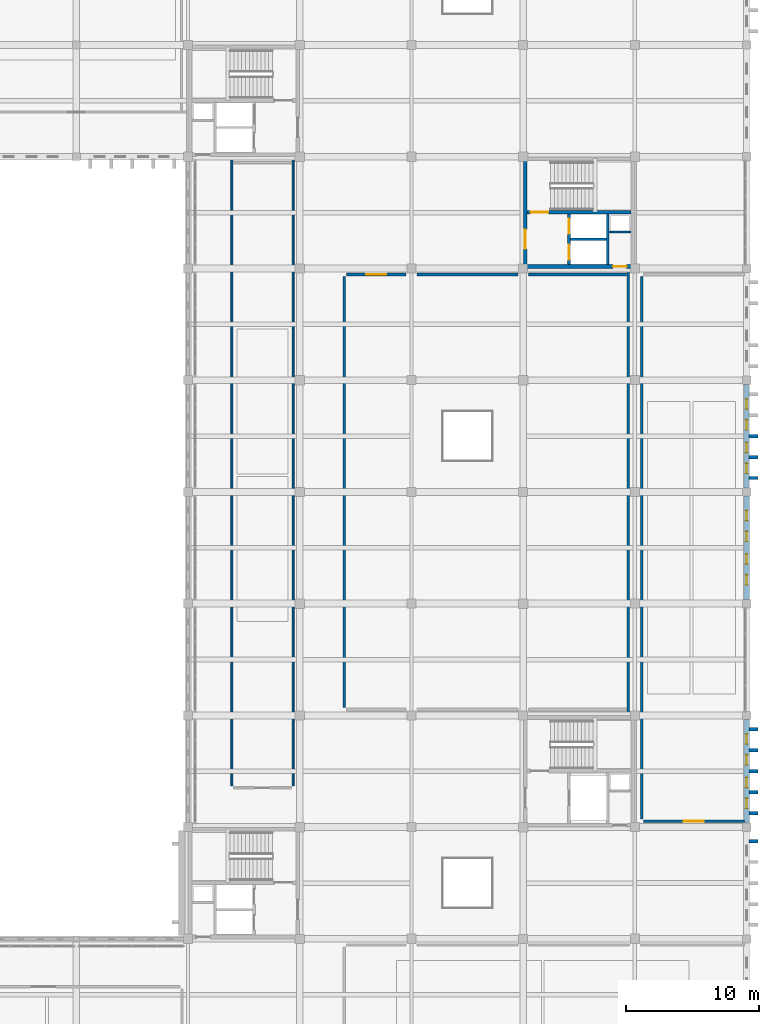
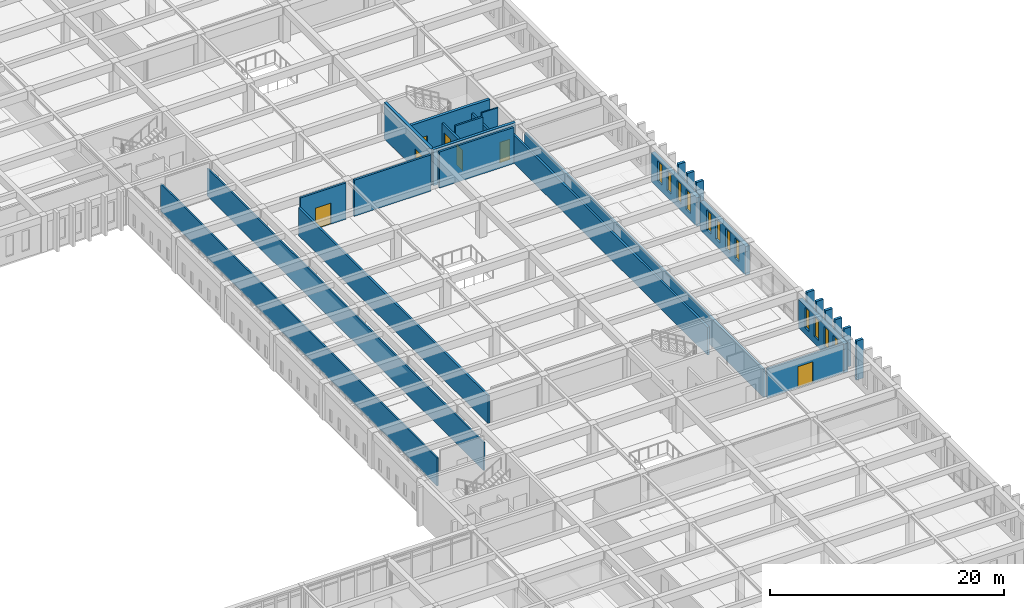
# One storey, part 98 of 110: 28 walls, 12 windows, 7 doors, 19 openings.
"""IFC4 building model written with IfcOpenShell, lengths in metres."""

import ifcopenshell
import ifcopenshell.guid

model = None  # the IFC model being written
_history = None  # IfcOwnerHistory: only IFC2X3 demands one
_inside = {}  # id of a spatial element -> (the spatial element, [elements in it])
_under = {}  # id of a project, library or spatial element -> (it, [spatial elements below it])
_declared = {}  # id of a project -> (the project, [libraries it declares])
_typed = {}  # id of a type object -> (the type object, [elements of that type])
_made_of = {}  # id of a material, layer set ... -> (it, [elements and type objects made of it])


def new_model(schema):
    """Start an empty IFC model of exactly this schema.

    Asked for "IFC4X3", IfcOpenShell would pick the latest addendum, in which some entities
    have other attributes; the version numbers below select the first issue.
    IFC2X3 requires an IfcOwnerHistory on every rooted entity: one is made here for all.
    """
    global model, _history
    if schema == "IFC4X3":
        model = ifcopenshell.file(schema_version=(4, 3, 0, 0))
    else:
        model = ifcopenshell.file(schema=schema)
    _inside.clear()
    _under.clear()
    _declared.clear()
    _typed.clear()
    _made_of.clear()
    _history = None
    if model.schema == "IFC2X3":
        org = make("IfcOrganization", Name="unknown")
        user = make(
            "IfcPersonAndOrganization",
            ThePerson=make("IfcPerson", FamilyName="unknown"),
            TheOrganization=org,
        )
        app = make(
            "IfcApplication",
            ApplicationDeveloper=org,
            Version="unknown",
            ApplicationFullName="unknown",
            ApplicationIdentifier="unknown",
        )
        _history = make(
            "IfcOwnerHistory",
            OwningUser=user,
            OwningApplication=app,
            ChangeAction="ADDED",
            CreationDate=0,
        )
    return model


def make(cls, **values):
    """One entity of the class cls with the attributes given. An attribute that is None is left unset."""
    return model.create_entity(
        cls, **{name: value for name, value in values.items() if value is not None}
    )


def rooted(cls, **values):
    """An entity with a GlobalId (a new one), such as an element, a storey or a relation."""
    return make(cls, GlobalId=ifcopenshell.guid.new(), OwnerHistory=_history, **values)


def si_unit(unit_type, name, prefix=None):
    """IfcSIUnit, for example si_unit("LENGTHUNIT", "METRE", prefix="MILLI")."""
    return make("IfcSIUnit", UnitType=unit_type, Prefix=prefix, Name=name)


def assignment(units):
    """IfcUnitAssignment: the units of a project."""
    return None if units is None else make("IfcUnitAssignment", Units=units)


def point(xyz):
    """IfcCartesianPoint."""
    return None if xyz is None else make("IfcCartesianPoint", Coordinates=xyz)


def direction(xyz):
    """IfcDirection."""
    return None if xyz is None else make("IfcDirection", DirectionRatios=xyz)


def frame(location, z_axis=None, x_axis=None):
    """IfcAxis2Placement3D, a coordinate frame: its origin and axes. An axis left out is left unset."""
    return make(
        "IfcAxis2Placement3D",
        Location=point(location),
        Axis=direction(z_axis),
        RefDirection=direction(x_axis),
    )


def frame_2d(location, x_axis=None):
    """IfcAxis2Placement2D, a coordinate frame in the plane: its origin and x axis."""
    return make(
        "IfcAxis2Placement2D", Location=point(location), RefDirection=direction(x_axis)
    )


def origin():
    """The frame at (0, 0, 0) with its axes left unset."""
    return frame((0.0, 0.0, 0.0))


def place(relative_to, where):
    """IfcLocalPlacement: puts the frame where relative to a parent placement (None: the world)."""
    return make(
        "IfcLocalPlacement", PlacementRelTo=relative_to, RelativePlacement=where
    )


def context(
    kind, dimensions, precision=None, world=None, true_north=None, identifier=None
):
    """IfcGeometricRepresentationContext, for example the 3D "Model" context."""
    return make(
        "IfcGeometricRepresentationContext",
        ContextIdentifier=identifier,
        ContextType=kind,
        CoordinateSpaceDimension=dimensions,
        Precision=precision,
        WorldCoordinateSystem=world,
        TrueNorth=true_north,
    )


def subcontext(parent, identifier, kind, view, scale=None):
    """IfcGeometricRepresentationSubContext, for example "Body" below "Model"."""
    return make(
        "IfcGeometricRepresentationSubContext",
        ContextIdentifier=identifier,
        ContextType=kind,
        ParentContext=parent,
        TargetScale=scale,
        TargetView=view,
    )


def project(units=None, contexts=None):
    """IfcProject with its units and contexts."""
    return rooted(
        "IfcProject",
        Name="project",
        RepresentationContexts=contexts,
        UnitsInContext=assignment(units),
    )


def spatial(cls, under=None, at=None, **own):
    """A site, building, storey or space (cls), placed at a placement, below another one or the project."""
    s = rooted(cls, ObjectPlacement=at, **own)
    if under is not None:
        _under.setdefault(under.id(), (under, []))[1].append(s)
    return s


def profile(cls, at=None, kind="AREA", **sizes):
    """A parametric profile (cls). Its sizes go by their IFC names, for example OverallWidth=200.0."""
    return make(cls, ProfileType=kind, Position=at, **sizes)


def rectangle(**sizes):
    """IfcRectangleProfileDef."""
    return profile("IfcRectangleProfileDef", **sizes)


def extrude(swept, where, along, depth):
    """IfcExtrudedAreaSolid: the profile swept, set in the frame where, extruded along a direction by depth."""
    return make(
        "IfcExtrudedAreaSolid",
        SweptArea=swept,
        Position=where,
        ExtrudedDirection=direction(along),
        Depth=depth,
    )


def shape(context_of_items, identifier, shape_type, items):
    """IfcShapeRepresentation: the items that make up one representation, for example the "Body"."""
    return make(
        "IfcShapeRepresentation",
        ContextOfItems=context_of_items,
        RepresentationIdentifier=identifier,
        RepresentationType=shape_type,
        Items=items,
    )


def material(Name=None, Category=None):
    """IfcMaterial."""
    return make("IfcMaterial", Name=Name, Category=Category)


def layer(
    of_material, thickness, ventilated=None, Name=None, Category=None, Priority=None
):
    """IfcMaterialLayer: one layer of a wall or slab, of a material (None: an air gap)."""
    return make(
        "IfcMaterialLayer",
        Material=of_material,
        LayerThickness=thickness,
        IsVentilated=ventilated,
        Name=Name,
        Category=Category,
        Priority=Priority,
    )


def layer_set(layers, Name=None):
    """IfcMaterialLayerSet."""
    return make("IfcMaterialLayerSet", MaterialLayers=layers, LayerSetName=Name)


def made_of(thing, what):
    """Note that an element or type object is made of a material, layer set ...; save() writes the relation."""
    if what is not None:
        _made_of.setdefault(what.id(), (what, []))[1].append(thing)
    return thing


def type_object(cls, material=None, **own):
    """A type object (cls), such as IfcWallType, which elements share."""
    return made_of(rooted(cls, **own), material)


def element(
    cls,
    number,
    at=None,
    inside=None,
    cuts=None,
    type_object=None,
    material=None,
    context=None,
    identifier="Body",
    shape_type=None,
    held_by="IfcProductDefinitionShape",
    body=None,
    shapes=None,
    **own,
):
    """One element of the class cls, such as IfcWall. Its Tag is "e" and its number.

    at: its placement. inside: the storey or other place that contains it. cuts: it is an
    opening in that element (IfcRelVoidsElement). A single representation is given by context,
    identifier, shape_type and body (its items); several are given by shapes. held_by: the class
    of the entity that holds the representations. save() writes the other relations.
    """
    e = rooted(cls, Tag="e%d" % number, ObjectPlacement=at, **own)
    if body is not None:
        shapes = [shape(context, identifier, shape_type, body)]
    if shapes is not None:
        e.Representation = make(held_by, Representations=shapes)
    if inside is not None:
        _inside.setdefault(inside.id(), (inside, []))[1].append(e)
    if cuts is not None:
        rooted(
            "IfcRelVoidsElement", RelatingBuildingElement=cuts, RelatedOpeningElement=e
        )
    if type_object is not None:
        _typed.setdefault(type_object.id(), (type_object, []))[1].append(e)
    return made_of(e, material)


def fill(opening, filler):
    """IfcRelFillsElement: the door or window that sits in an opening."""
    return rooted(
        "IfcRelFillsElement",
        RelatingOpeningElement=opening,
        RelatedBuildingElement=filler,
    )


def aggregate(whole, parts):
    """IfcRelAggregates: a whole, such as a stair, and the parts it consists of."""
    return rooted("IfcRelAggregates", RelatingObject=whole, RelatedObjects=parts)


def save(model, path):
    """Write the relations noted so far, then the file.

    IfcRelAggregates (storeys below a building ...), IfcRelContainedInSpatialStructure (elements
    in a storey), IfcRelDefinesByType, IfcRelAssociatesMaterial and IfcRelDeclares: one each for
    every whole, place, type object, material and project.
    """
    for whole, parts in _under.values():
        aggregate(whole, parts)
    for where, things in _inside.values():
        rooted(
            "IfcRelContainedInSpatialStructure",
            RelatedElements=things,
            RelatingStructure=where,
        )
    for kind, things in _typed.values():
        rooted("IfcRelDefinesByType", RelatedObjects=things, RelatingType=kind)
    for what, things in _made_of.values():
        rooted("IfcRelAssociatesMaterial", RelatedObjects=things, RelatingMaterial=what)
    for by, libraries in _declared.values():
        rooted("IfcRelDeclares", RelatingContext=by, RelatedDefinitions=libraries)
    model.write(path)


model = new_model("IFC4")

# Units and contexts
model_context = context("Model", 3, precision=1e-05, world=origin(), true_north=direction((0.0, 1.0)))
body_context = subcontext(model_context, "Body", "Model", "MODEL_VIEW")
ifc_project = project(units=[si_unit("LENGTHUNIT", "METRE"), si_unit("AREAUNIT", "SQUARE_METRE"), si_unit("VOLUMEUNIT", "CUBIC_METRE"), si_unit("PLANEANGLEUNIT", "RADIAN"), si_unit("MASSUNIT", "GRAM", prefix="KILO")], contexts=[model_context])

# Site, building, storey
site_placement = place(None, origin())
site = spatial("IfcSite", under=ifc_project, at=site_placement, CompositionType="ELEMENT")
building_placement = place(site_placement, origin())
building = spatial("IfcBuilding", under=site, at=building_placement, Name="Kveldsbrygga Polytechnic", CompositionType="ELEMENT")
storey_placement = place(building_placement, frame((0.0, 0.0, 9.860107421875)))
storey = spatial("IfcBuildingStorey", under=building, at=storey_placement, Name="L02", CompositionType="ELEMENT", Elevation=9.860107421875)

# Wall, openings, windows
ifc_material_1 = material(Name="Fired clay brick masonry M10", Category="masonry")
ifc_layer_1 = layer(ifc_material_1, 0.3798828125)
ifc_layer_set_1 = layer_set([ifc_layer_1], Name="Fired clay brick masonry M10")
wall_type_1 = type_object("IfcWallType", Name="EW-BRICK-380", PredefinedType="SOLIDWALL", material=ifc_layer_set_1)
wall_1_placement = place(storey_placement, frame((168.0, 59.094970703125, 0.0), z_axis=(0.0, 0.0, 1.0), x_axis=(0.0, 1.0, 0.0)))
wall_1 = element("IfcWall", 1, at=wall_1_placement, inside=storey, type_object=wall_type_1, Name="Exterior Brick Wall EW-L02-Y-20-07", PredefinedType="SOLIDWALL", context=body_context, shape_type="SweptSolid", body=[
    extrude(rectangle(XDim=7.794921875, YDim=0.3798828125, at=frame_2d((3.8974609375, 0.0))), origin(), (0.0, 0.0, 1.0), 3.0),
])
opening_1_placement = place(wall_1_placement, frame((1.10595703125, 0.0, 0.699951171875)))
opening_1 = element("IfcOpeningElement", 2, at=opening_1_placement, cuts=wall_1, Name="Opening W-27", PredefinedType="OPENING", context=body_context, shape_type="SweptSolid", body=[
    extrude(rectangle(XDim=0.75, YDim=2.10009765625, at=frame_2d((0.375, 1.050048828125))), frame((0.0, 0.199951171875, 0.0), z_axis=(0.0, -1.0, 0.0), x_axis=(1.0, 0.0, 0.0)), (0.0, 0.0, 1.0), 0.39990234375),
])
opening_2_placement = place(wall_1_placement, frame((2.6650390625, 0.0, 0.699951171875)))
opening_2 = element("IfcOpeningElement", 3, at=opening_2_placement, cuts=wall_1, Name="Opening W-27", PredefinedType="OPENING", context=body_context, shape_type="SweptSolid", body=[
    extrude(rectangle(XDim=0.75, YDim=2.10009765625, at=frame_2d((0.375, 1.050048828125))), frame((0.0, 0.199951171875, 0.0), z_axis=(0.0, -1.0, 0.0), x_axis=(1.0, 0.0, 0.0)), (0.0, 0.0, 1.0), 0.39990234375),
])
opening_3_placement = place(wall_1_placement, frame((4.3798828125, 0.0, 0.699951171875)))
opening_3 = element("IfcOpeningElement", 4, at=opening_3_placement, cuts=wall_1, Name="Opening W-27", PredefinedType="OPENING", context=body_context, shape_type="SweptSolid", body=[
    extrude(rectangle(XDim=0.75, YDim=2.10009765625, at=frame_2d((0.375, 1.050048828125))), frame((0.0, 0.199951171875, 0.0), z_axis=(0.0, -1.0, 0.0), x_axis=(1.0, 0.0, 0.0)), (0.0, 0.0, 1.0), 0.39990234375),
])
opening_4_placement = place(wall_1_placement, frame((5.93896484375, 0.0, 0.699951171875)))
opening_4 = element("IfcOpeningElement", 5, at=opening_4_placement, cuts=wall_1, Name="Opening W-27", PredefinedType="OPENING", context=body_context, shape_type="SweptSolid", body=[
    extrude(rectangle(XDim=0.75, YDim=2.10009765625, at=frame_2d((0.375, 1.050048828125))), frame((0.0, 0.199951171875, 0.0), z_axis=(0.0, -1.0, 0.0), x_axis=(1.0, 0.0, 0.0)), (0.0, 0.0, 1.0), 0.39990234375),
])
ifc_material_2 = material(Name="Insulated triple low-E glass", Category="glass")
window_type = type_object("IfcWindowType", Name="WN-ATTIC-075x210", PartitioningType="DOUBLE_PANEL_VERTICAL", PredefinedType="WINDOW", material=ifc_material_2)
window_1_placement = place(opening_1_placement, origin())
window_1 = element("IfcWindow", 6, at=window_1_placement, inside=storey, type_object=window_type, Name="Gothic Lancet Window WIN-L02-Y-20-07-1", OverallHeight=2.10009765625, OverallWidth=0.75, PartitioningType="DOUBLE_PANEL_VERTICAL", PredefinedType="WINDOW", context=body_context, shape_type="SweptSolid", body=[
    extrude(rectangle(XDim=0.75, YDim=2.10009765625, at=frame_2d((0.375, 1.050048828125))), frame((0.0, 0.030029296875, 0.0), z_axis=(0.0, -1.0, 0.0), x_axis=(1.0, 0.0, 0.0)), (0.0, 0.0, 1.0), 0.06005859375),
])
fill(opening_1, window_1)
window_2_placement = place(opening_2_placement, origin())
window_2 = element("IfcWindow", 7, at=window_2_placement, inside=storey, type_object=window_type, Name="Gothic Lancet Window WIN-L02-Y-20-07-2", OverallHeight=2.10009765625, OverallWidth=0.75, PartitioningType="DOUBLE_PANEL_VERTICAL", PredefinedType="WINDOW", context=body_context, shape_type="SweptSolid", body=[
    extrude(rectangle(XDim=0.75, YDim=2.10009765625, at=frame_2d((0.375, 1.050048828125))), frame((0.0, 0.030029296875, 0.0), z_axis=(0.0, -1.0, 0.0), x_axis=(1.0, 0.0, 0.0)), (0.0, 0.0, 1.0), 0.06005859375),
])
fill(opening_2, window_2)
window_3_placement = place(opening_3_placement, origin())
window_3 = element("IfcWindow", 8, at=window_3_placement, inside=storey, type_object=window_type, Name="Gothic Lancet Window WIN-L02-Y-20-07-3", OverallHeight=2.10009765625, OverallWidth=0.75, PartitioningType="DOUBLE_PANEL_VERTICAL", PredefinedType="WINDOW", context=body_context, shape_type="SweptSolid", body=[
    extrude(rectangle(XDim=0.75, YDim=2.10009765625, at=frame_2d((0.375, 1.050048828125))), frame((0.0, 0.030029296875, 0.0), z_axis=(0.0, -1.0, 0.0), x_axis=(1.0, 0.0, 0.0)), (0.0, 0.0, 1.0), 0.06005859375),
])
fill(opening_3, window_3)
window_4_placement = place(opening_4_placement, origin())
window_4 = element("IfcWindow", 9, at=window_4_placement, inside=storey, type_object=window_type, Name="Gothic Lancet Window WIN-L02-Y-20-07-4", OverallHeight=2.10009765625, OverallWidth=0.75, PartitioningType="DOUBLE_PANEL_VERTICAL", PredefinedType="WINDOW", context=body_context, shape_type="SweptSolid", body=[
    extrude(rectangle(XDim=0.75, YDim=2.10009765625, at=frame_2d((0.375, 1.050048828125))), frame((0.0, 0.030029296875, 0.0), z_axis=(0.0, -1.0, 0.0), x_axis=(1.0, 0.0, 0.0)), (0.0, 0.0, 1.0), 0.06005859375),
])
fill(opening_4, window_4)

ifc_layer_2 = layer(ifc_material_1, 0.39990234375)
ifc_layer_set_2 = layer_set([ifc_layer_2], Name="Fired clay brick masonry M10")
wall_type_2 = type_object("IfcWallType", Name="EW-BRICK-400", PredefinedType="SOLIDWALL", material=ifc_layer_set_2)
wall_2_placement = place(storey_placement, frame((168.0, 33.909912109375, 0.0), z_axis=(0.0, 0.0, 1.0), x_axis=(0.0, 1.0, 0.0)))
wall_2 = element("IfcWall", 10, at=wall_2_placement, inside=storey, type_object=wall_type_2, Name="Exterior Brick Wall EW-L02-Y-20-04", PredefinedType="SOLIDWALL", context=body_context, shape_type="SweptSolid", body=[
    extrude(rectangle(XDim=7.795166015625, YDim=0.39990234375, at=frame_2d((3.8974609375, 0.0))), origin(), (0.0, 0.0, 1.0), 3.0),
])
opening_5_placement = place(wall_2_placement, frame((1.10595703125, 0.0, 0.699951171875)))
opening_5 = element("IfcOpeningElement", 11, at=opening_5_placement, cuts=wall_2, Name="Opening W-27", PredefinedType="OPENING", context=body_context, shape_type="SweptSolid", body=[
    extrude(rectangle(XDim=0.75, YDim=2.10009765625, at=frame_2d((0.375, 1.050048828125))), frame((0.0, 0.2099609375, 0.0), z_axis=(0.0, -1.0, 0.0), x_axis=(1.0, 0.0, 0.0)), (0.0, 0.0, 1.0), 0.419921875),
])
opening_6_placement = place(wall_2_placement, frame((2.6650390625, 0.0, 0.699951171875)))
opening_6 = element("IfcOpeningElement", 12, at=opening_6_placement, cuts=wall_2, Name="Opening W-27", PredefinedType="OPENING", context=body_context, shape_type="SweptSolid", body=[
    extrude(rectangle(XDim=0.75, YDim=2.10009765625, at=frame_2d((0.375, 1.050048828125))), frame((0.0, 0.2099609375, 0.0), z_axis=(0.0, -1.0, 0.0), x_axis=(1.0, 0.0, 0.0)), (0.0, 0.0, 1.0), 0.419921875),
])
opening_7_placement = place(wall_2_placement, frame((4.3798828125, 0.0, 0.699951171875)))
opening_7 = element("IfcOpeningElement", 13, at=opening_7_placement, cuts=wall_2, Name="Opening W-27", PredefinedType="OPENING", context=body_context, shape_type="SweptSolid", body=[
    extrude(rectangle(XDim=0.75, YDim=2.10009765625, at=frame_2d((0.375, 1.050048828125))), frame((0.0, 0.2099609375, 0.0), z_axis=(0.0, -1.0, 0.0), x_axis=(1.0, 0.0, 0.0)), (0.0, 0.0, 1.0), 0.419921875),
])
opening_8_placement = place(wall_2_placement, frame((5.93896484375, 0.0, 0.699951171875)))
opening_8 = element("IfcOpeningElement", 14, at=opening_8_placement, cuts=wall_2, Name="Opening W-27", PredefinedType="OPENING", context=body_context, shape_type="SweptSolid", body=[
    extrude(rectangle(XDim=0.75, YDim=2.10009765625, at=frame_2d((0.375, 1.050048828125))), frame((0.0, 0.2099609375, 0.0), z_axis=(0.0, -1.0, 0.0), x_axis=(1.0, 0.0, 0.0)), (0.0, 0.0, 1.0), 0.419921875),
])
window_5_placement = place(opening_5_placement, origin())
window_5 = element("IfcWindow", 15, at=window_5_placement, inside=storey, type_object=window_type, Name="Gothic Lancet Window WIN-L02-Y-20-04-1", OverallHeight=2.10009765625, OverallWidth=0.75, PartitioningType="DOUBLE_PANEL_VERTICAL", PredefinedType="WINDOW", context=body_context, shape_type="SweptSolid", body=[
    extrude(rectangle(XDim=0.75, YDim=2.10009765625, at=frame_2d((0.375, 1.050048828125))), frame((0.0, 0.030029296875, 0.0), z_axis=(0.0, -1.0, 0.0), x_axis=(1.0, 0.0, 0.0)), (0.0, 0.0, 1.0), 0.06005859375),
])
fill(opening_5, window_5)
window_6_placement = place(opening_6_placement, origin())
window_6 = element("IfcWindow", 16, at=window_6_placement, inside=storey, type_object=window_type, Name="Gothic Lancet Window WIN-L02-Y-20-04-2", OverallHeight=2.10009765625, OverallWidth=0.75, PartitioningType="DOUBLE_PANEL_VERTICAL", PredefinedType="WINDOW", context=body_context, shape_type="SweptSolid", body=[
    extrude(rectangle(XDim=0.75, YDim=2.10009765625, at=frame_2d((0.375, 1.050048828125))), frame((0.0, 0.030029296875, 0.0), z_axis=(0.0, -1.0, 0.0), x_axis=(1.0, 0.0, 0.0)), (0.0, 0.0, 1.0), 0.06005859375),
])
fill(opening_6, window_6)
window_7_placement = place(opening_7_placement, origin())
window_7 = element("IfcWindow", 17, at=window_7_placement, inside=storey, type_object=window_type, Name="Gothic Lancet Window WIN-L02-Y-20-04-3", OverallHeight=2.10009765625, OverallWidth=0.75, PartitioningType="DOUBLE_PANEL_VERTICAL", PredefinedType="WINDOW", context=body_context, shape_type="SweptSolid", body=[
    extrude(rectangle(XDim=0.75, YDim=2.10009765625, at=frame_2d((0.375, 1.050048828125))), frame((0.0, 0.030029296875, 0.0), z_axis=(0.0, -1.0, 0.0), x_axis=(1.0, 0.0, 0.0)), (0.0, 0.0, 1.0), 0.06005859375),
])
fill(opening_7, window_7)
window_8_placement = place(opening_8_placement, origin())
window_8 = element("IfcWindow", 18, at=window_8_placement, inside=storey, type_object=window_type, Name="Gothic Lancet Window WIN-L02-Y-20-04-4", OverallHeight=2.10009765625, OverallWidth=0.75, PartitioningType="DOUBLE_PANEL_VERTICAL", PredefinedType="WINDOW", context=body_context, shape_type="SweptSolid", body=[
    extrude(rectangle(XDim=0.75, YDim=2.10009765625, at=frame_2d((0.375, 1.050048828125))), frame((0.0, 0.030029296875, 0.0), z_axis=(0.0, -1.0, 0.0), x_axis=(1.0, 0.0, 0.0)), (0.0, 0.0, 1.0), 0.06005859375),
])
fill(opening_8, window_8)

wall_3_placement = place(storey_placement, frame((168.0, 50.7099609375, 0.0), z_axis=(0.0, 0.0, 1.0), x_axis=(0.0, 1.0, 0.0)))
wall_3 = element("IfcWall", 19, at=wall_3_placement, inside=storey, type_object=wall_type_2, Name="Exterior Brick Wall EW-L02-Y-20-06", PredefinedType="SOLIDWALL", context=body_context, shape_type="SweptSolid", body=[
    extrude(rectangle(XDim=7.794921875, YDim=0.39990234375, at=frame_2d((3.8974609375, 0.0))), origin(), (0.0, 0.0, 1.0), 3.0),
])
opening_9_placement = place(wall_3_placement, frame((1.10595703125, 0.0, 0.699951171875)))
opening_9 = element("IfcOpeningElement", 20, at=opening_9_placement, cuts=wall_3, Name="Opening W-27", PredefinedType="OPENING", context=body_context, shape_type="SweptSolid", body=[
    extrude(rectangle(XDim=0.75, YDim=2.10009765625, at=frame_2d((0.375, 1.050048828125))), frame((0.0, 0.2099609375, 0.0), z_axis=(0.0, -1.0, 0.0), x_axis=(1.0, 0.0, 0.0)), (0.0, 0.0, 1.0), 0.419921875),
])
opening_10_placement = place(wall_3_placement, frame((2.6650390625, 0.0, 0.699951171875)))
opening_10 = element("IfcOpeningElement", 21, at=opening_10_placement, cuts=wall_3, Name="Opening W-27", PredefinedType="OPENING", context=body_context, shape_type="SweptSolid", body=[
    extrude(rectangle(XDim=0.75, YDim=2.10009765625, at=frame_2d((0.375, 1.050048828125))), frame((0.0, 0.2099609375, 0.0), z_axis=(0.0, -1.0, 0.0), x_axis=(1.0, 0.0, 0.0)), (0.0, 0.0, 1.0), 0.419921875),
])
opening_11_placement = place(wall_3_placement, frame((4.3798828125, 0.0, 0.699951171875)))
opening_11 = element("IfcOpeningElement", 22, at=opening_11_placement, cuts=wall_3, Name="Opening W-27", PredefinedType="OPENING", context=body_context, shape_type="SweptSolid", body=[
    extrude(rectangle(XDim=0.75, YDim=2.10009765625, at=frame_2d((0.375, 1.050048828125))), frame((0.0, 0.2099609375, 0.0), z_axis=(0.0, -1.0, 0.0), x_axis=(1.0, 0.0, 0.0)), (0.0, 0.0, 1.0), 0.419921875),
])
opening_12_placement = place(wall_3_placement, frame((5.93896484375, 0.0, 0.699951171875)))
opening_12 = element("IfcOpeningElement", 23, at=opening_12_placement, cuts=wall_3, Name="Opening W-27", PredefinedType="OPENING", context=body_context, shape_type="SweptSolid", body=[
    extrude(rectangle(XDim=0.75, YDim=2.10009765625, at=frame_2d((0.375, 1.050048828125))), frame((0.0, 0.2099609375, 0.0), z_axis=(0.0, -1.0, 0.0), x_axis=(1.0, 0.0, 0.0)), (0.0, 0.0, 1.0), 0.419921875),
])
window_9_placement = place(opening_9_placement, origin())
window_9 = element("IfcWindow", 24, at=window_9_placement, inside=storey, type_object=window_type, Name="Gothic Lancet Window WIN-L02-Y-20-06-1", OverallHeight=2.10009765625, OverallWidth=0.75, PartitioningType="DOUBLE_PANEL_VERTICAL", PredefinedType="WINDOW", context=body_context, shape_type="SweptSolid", body=[
    extrude(rectangle(XDim=0.75, YDim=2.10009765625, at=frame_2d((0.375, 1.050048828125))), frame((0.0, 0.030029296875, 0.0), z_axis=(0.0, -1.0, 0.0), x_axis=(1.0, 0.0, 0.0)), (0.0, 0.0, 1.0), 0.06005859375),
])
fill(opening_9, window_9)
window_10_placement = place(opening_10_placement, origin())
window_10 = element("IfcWindow", 25, at=window_10_placement, inside=storey, type_object=window_type, Name="Gothic Lancet Window WIN-L02-Y-20-06-2", OverallHeight=2.10009765625, OverallWidth=0.75, PartitioningType="DOUBLE_PANEL_VERTICAL", PredefinedType="WINDOW", context=body_context, shape_type="SweptSolid", body=[
    extrude(rectangle(XDim=0.75, YDim=2.10009765625, at=frame_2d((0.375, 1.050048828125))), frame((0.0, 0.030029296875, 0.0), z_axis=(0.0, -1.0, 0.0), x_axis=(1.0, 0.0, 0.0)), (0.0, 0.0, 1.0), 0.06005859375),
])
fill(opening_10, window_10)
window_11_placement = place(opening_11_placement, origin())
window_11 = element("IfcWindow", 26, at=window_11_placement, inside=storey, type_object=window_type, Name="Gothic Lancet Window WIN-L02-Y-20-06-3", OverallHeight=2.10009765625, OverallWidth=0.75, PartitioningType="DOUBLE_PANEL_VERTICAL", PredefinedType="WINDOW", context=body_context, shape_type="SweptSolid", body=[
    extrude(rectangle(XDim=0.75, YDim=2.10009765625, at=frame_2d((0.375, 1.050048828125))), frame((0.0, 0.030029296875, 0.0), z_axis=(0.0, -1.0, 0.0), x_axis=(1.0, 0.0, 0.0)), (0.0, 0.0, 1.0), 0.06005859375),
])
fill(opening_11, window_11)
window_12_placement = place(opening_12_placement, origin())
window_12 = element("IfcWindow", 27, at=window_12_placement, inside=storey, type_object=window_type, Name="Gothic Lancet Window WIN-L02-Y-20-06-4", OverallHeight=2.10009765625, OverallWidth=0.75, PartitioningType="DOUBLE_PANEL_VERTICAL", PredefinedType="WINDOW", context=body_context, shape_type="SweptSolid", body=[
    extrude(rectangle(XDim=0.75, YDim=2.10009765625, at=frame_2d((0.375, 1.050048828125))), frame((0.0, 0.030029296875, 0.0), z_axis=(0.0, -1.0, 0.0), x_axis=(1.0, 0.0, 0.0)), (0.0, 0.0, 1.0), 0.06005859375),
])
fill(opening_12, window_12)

# Walls
ifc_layer_3 = layer(ifc_material_1, 0.260009765625)
ifc_layer_set_3 = layer_set([ifc_layer_3], Name="Fired clay brick masonry M10")
wall_type_3 = type_object("IfcWallType", Name="EW-BUTT-260", PredefinedType="SOLIDWALL", material=ifc_layer_set_3)
for number, where, z_axis, x_axis, name in (
    (28, (168.1650390625, 32.550048828125, 0.0), (0.0, 0.0, 1.0), (1.0, 0.0, 0.0), "Gothic Brick Buttress Pier BUTT-L02-Y-20-03-5"),
    (29, (168.1650390625, 34.64990234375, 0.0), (0.0, 0.0, 1.0), (1.0, 0.0, 0.0), "Gothic Brick Buttress Pier BUTT-L02-Y-20-04-1"),
    (30, (168.1650390625, 36.219970703125, 0.0), (0.0, 0.0, 1.0), (1.0, 0.0, 0.0), "Gothic Brick Buttress Pier BUTT-L02-Y-20-04-2"),
    (31, (168.1650390625, 37.800048828125, 0.0), (0.0, 0.0, 1.0), (1.0, 0.0, 0.0), "Gothic Brick Buttress Pier BUTT-L02-Y-20-04-3"),
    (32, (168.1650390625, 39.3798828125, 0.0), (0.0, 0.0, 1.0), (1.0, 0.0, 0.0), "Gothic Brick Buttress Pier BUTT-L02-Y-20-04-4"),
    (33, (168.1650390625, 40.949951171875, 0.0), (0.0, 0.0, 1.0), (1.0, 0.0, 0.0), "Gothic Brick Buttress Pier BUTT-L02-Y-20-04-5"),
    (34, (168.1650390625, 59.85009765625, 0.0), (0.0, 0.0, 1.0), (1.0, 0.0, 0.0), "Gothic Brick Buttress Pier BUTT-L02-Y-20-07-1"),
    (35, (168.1650390625, 61.419921875, 0.0), (0.0, 0.0, 1.0), (1.0, 0.0, 0.0), "Gothic Brick Buttress Pier BUTT-L02-Y-20-07-2"),
    (36, (168.1650390625, 63.0, 0.0), (0.0, 0.0, 1.0), (1.0, 0.0, 0.0), "Gothic Brick Buttress Pier BUTT-L02-Y-20-07-3"),
):
    element("IfcWall", number, at=place(storey_placement, frame(where, z_axis=z_axis, x_axis=x_axis)), inside=storey, type_object=wall_type_3, Name=name, PredefinedType="SOLIDWALL", context=body_context, shape_type="SweptSolid", body=[
        extrude(rectangle(XDim=0.699951171875, YDim=0.260009765625, at=frame_2d((0.35009765625, 0.0))), origin(), (0.0, 0.0, 1.0), 4.079833984375),
    ])

# Wall, opening, door
ifc_layer_4 = layer(ifc_material_1, 0.199951171875)
ifc_layer_set_4 = layer_set([ifc_layer_4], Name="Fired clay brick masonry M10")
wall_type_4 = type_object("IfcWallType", Name="IW-LAB-200", PredefinedType="PARTITIONING", material=ifc_layer_set_4)
wall_4_placement = place(storey_placement, frame((137.89990234375, 75.14990234375, 0.0), z_axis=(0.0, 0.0, 1.0), x_axis=(1.0, 0.0, 0.0)))
wall_4 = element("IfcWall", 37, at=wall_4_placement, inside=storey, type_object=wall_type_4, Name="Partition Wall IW-SP-L02-LAB21A-N1", PredefinedType="PARTITIONING", context=body_context, shape_type="SweptSolid", body=[
    extrude(rectangle(XDim=4.489990234375, YDim=0.199951171875, at=frame_2d((2.2451171875, 0.0))), origin(), (0.0, 0.0, 1.0), 3.77978515625),
])
opening_13_placement = place(wall_4_placement, frame((1.4951171875, 0.0, 0.0)))
opening_13 = element("IfcOpeningElement", 38, at=opening_13_placement, cuts=wall_4, Name="Opening ID-L02-066", PredefinedType="OPENING", context=body_context, shape_type="SweptSolid", body=[
    extrude(rectangle(XDim=1.5, YDim=2.199951171875, at=frame_2d((0.75, 1.10009765625))), frame((0.0, 0.10986328125, 0.0), z_axis=(0.0, -1.0, 0.0), x_axis=(1.0, 0.0, 0.0)), (0.0, 0.0, 1.0), 0.219970703125),
])
ifc_material_3 = material(Name="Acoustic oak timber", Category="wood")
door_type_1 = type_object("IfcDoorType", Name="ID-LAB-150x220", OperationType="DOUBLE_DOOR_SINGLE_SWING", PredefinedType="DOOR", material=ifc_material_3)
door_1_placement = place(opening_13_placement, origin())
door_1 = element("IfcDoor", 39, at=door_1_placement, inside=storey, type_object=door_type_1, Name="Interior Door ID-L02-066", OperationType="DOUBLE_DOOR_SINGLE_SWING", OverallHeight=2.199951171875, OverallWidth=1.5, PredefinedType="DOOR", context=body_context, shape_type="SweptSolid", body=[
    extrude(rectangle(XDim=1.5, YDim=2.199951171875, at=frame_2d((0.75, 1.10009765625))), frame((0.0, 0.02490234375, 0.0), z_axis=(0.0, -1.0, 0.0), x_axis=(1.0, 0.0, 0.0)), (0.0, 0.0, 1.0), 0.050048828125),
])
fill(opening_13, door_1)

# Walls
wall_5_placement = place(storey_placement, frame((143.2099609375, 75.14990234375, 0.0), z_axis=(0.0, 0.0, 1.0), x_axis=(1.0, 0.0, 0.0)))
element("IfcWall", 40, at=wall_5_placement, inside=storey, type_object=wall_type_4, Name="Partition Wall IW-SP-L02-LAB21A-N2", PredefinedType="PARTITIONING", context=body_context, shape_type="SweptSolid", body=[
    extrude(rectangle(XDim=7.590087890625, YDim=0.199951171875, at=frame_2d((3.794921875, 0.0))), origin(), (0.0, 0.0, 1.0), 3.77978515625),
])
wall_6_placement = place(storey_placement, frame((151.60009765625, 75.14990234375, 0.0), z_axis=(0.0, 0.0, 1.0), x_axis=(1.0, 0.0, 0.0)))
element("IfcWall", 41, at=wall_6_placement, inside=storey, type_object=wall_type_4, Name="Partition Wall IW-SP-L02-LAB21A-N3", PredefinedType="PARTITIONING", context=body_context, shape_type="SweptSolid", body=[
    extrude(rectangle(XDim=7.349853515625, YDim=0.199951171875, at=frame_2d((3.6748046875, 0.0))), origin(), (0.0, 0.0, 1.0), 3.77978515625),
])
wall_7_placement = place(storey_placement, frame((137.75, 42.60009765625, 0.0), z_axis=(0.0, 0.0, 1.0), x_axis=(0.0, 1.0, 0.0)))
element("IfcWall", 42, at=wall_7_placement, inside=storey, type_object=wall_type_4, Name="Partition Wall IW-SP-L02-LAB21A-W1", PredefinedType="PARTITIONING", context=body_context, shape_type="SweptSolid", body=[
    extrude(rectangle(XDim=32.39990234375, YDim=0.199951171875, at=frame_2d((16.199951171875, 0.0))), origin(), (0.0, 0.0, 1.0), 2.909912109375),
])
wall_8_placement = place(storey_placement, frame((159.10009765625, 42.030029296875, 0.0), z_axis=(0.0, 0.0, 1.0), x_axis=(0.0, 1.0, 0.0)))
element("IfcWall", 43, at=wall_8_placement, inside=storey, type_object=wall_type_4, Name="Partition Wall IW-SP-L02-LAB21A-E1", PredefinedType="PARTITIONING", context=body_context, shape_type="SweptSolid", body=[
    extrude(rectangle(XDim=33.5400390625, YDim=0.199951171875, at=frame_2d((16.77001953125, 0.0))), origin(), (0.0, 0.0, 1.0), 2.909912109375),
])

# Wall, opening, door
wall_9_placement = place(storey_placement, frame((160.25, 34.050048828125, 0.0), z_axis=(0.0, 0.0, 1.0), x_axis=(1.0, 0.0, 0.0)))
wall_9 = element("IfcWall", 44, at=wall_9_placement, inside=storey, type_object=wall_type_4, Name="Partition Wall IW-SP-L02-LAB21-S1", PredefinedType="PARTITIONING", context=body_context, shape_type="SweptSolid", body=[
    extrude(rectangle(XDim=7.570068359375, YDim=0.199951171875, at=frame_2d((3.78515625, 0.0))), origin(), (0.0, 0.0, 1.0), 3.0),
])
opening_14_placement = place(wall_9_placement, frame((3.034912109375, 0.0, 0.0)))
opening_14 = element("IfcOpeningElement", 45, at=opening_14_placement, cuts=wall_9, Name="Opening ID-L02-067", PredefinedType="OPENING", context=body_context, shape_type="SweptSolid", body=[
    extrude(rectangle(XDim=1.5, YDim=2.199951171875, at=frame_2d((0.75, 1.10009765625))), frame((0.0, 0.10986328125, 0.0), z_axis=(0.0, -1.0, 0.0), x_axis=(1.0, 0.0, 0.0)), (0.0, 0.0, 1.0), 0.219970703125),
])
door_2_placement = place(opening_14_placement, origin())
door_2 = element("IfcDoor", 46, at=door_2_placement, inside=storey, type_object=door_type_1, Name="Interior Door ID-L02-067", OperationType="DOUBLE_DOOR_SINGLE_SWING", OverallHeight=2.199951171875, OverallWidth=1.5, PredefinedType="DOOR", context=body_context, shape_type="SweptSolid", body=[
    extrude(rectangle(XDim=1.5, YDim=2.199951171875, at=frame_2d((0.75, 1.10009765625))), frame((0.0, 0.02490234375, 0.0), z_axis=(0.0, -1.0, 0.0), x_axis=(1.0, 0.0, 0.0)), (0.0, 0.0, 1.0), 0.050048828125),
])
fill(opening_14, door_2)

# Walls
wall_10_placement = place(storey_placement, frame((160.10009765625, 34.199951171875, 0.0), z_axis=(0.0, 0.0, 1.0), x_axis=(0.0, 1.0, 0.0)))
element("IfcWall", 47, at=wall_10_placement, inside=storey, type_object=wall_type_4, Name="Partition Wall IW-SP-L02-LAB21-W1", PredefinedType="PARTITIONING", context=body_context, shape_type="SweptSolid", body=[
    extrude(rectangle(XDim=40.800048828125, YDim=0.199951171875, at=frame_2d((20.39990234375, 0.0))), origin(), (0.0, 0.0, 1.0), 2.909912109375),
])
ifc_material_4 = material(Name="Moisture-resistant masonry M10", Category="masonry")
ifc_layer_5 = layer(ifc_material_4, 0.1298828125)
ifc_layer_set_5 = layer_set([ifc_layer_5], Name="Moisture-resistant masonry M10")
wall_type_5 = type_object("IfcWallType", Name="IW-SAN-130", PredefinedType="PARTITIONING", material=ifc_layer_set_5)
wall_11_placement = place(storey_placement, frame((157.659912109375, 78.340087890625, 0.0), z_axis=(0.0, 0.0, 1.0), x_axis=(1.0, 0.0, 0.0)))
element("IfcWall", 48, at=wall_11_placement, inside=storey, type_object=wall_type_5, Name="Core AWC Divider C4-L02-W-RSR", PredefinedType="PARTITIONING", context=body_context, shape_type="SweptSolid", body=[
    extrude(rectangle(XDim=1.6201171875, YDim=0.1298828125, at=frame_2d((0.81005859375, 0.0))), origin(), (0.0, 0.0, 1.0), 3.77978515625),
])
ifc_material_5 = material(Name="Gypsum acoustic stud partition")
ifc_layer_6 = layer(ifc_material_5, 0.14990234375)
ifc_layer_set_6 = layer_set([ifc_layer_6], Name="Gypsum acoustic stud partition")
wall_type_6 = type_object("IfcWallType", Name="IW-SEM-150", PredefinedType="PARTITIONING", material=ifc_layer_set_6)
for number, where, z_axis, x_axis, name in (
    (49, (129.300048828125, 36.699951171875, 0.0), (0.0, 0.0, 1.0), (0.0, 1.0, 0.0), "Partition Wall IW-SP-L02-SEM22-W1"),
    (50, (133.89990234375, 36.699951171875, 0.0), (0.0, 0.0, 1.0), (0.0, 1.0, 0.0), "Partition Wall IW-SP-L02-SEM22-E1"),
):
    element("IfcWall", number, at=place(storey_placement, frame(where, z_axis=z_axis, x_axis=x_axis)), inside=storey, type_object=wall_type_6, Name=name, PredefinedType="PARTITIONING", context=body_context, shape_type="SweptSolid", body=[
        extrude(rectangle(XDim=47.27001953125, YDim=0.14990234375, at=frame_2d((23.635009765625, 0.0))), origin(), (0.0, 0.0, 1.0), 2.909912109375),
    ])

# Wall, opening, door
ifc_material_6 = material(Name="Concrete C45/55", Category="concrete")
ifc_layer_7 = layer(ifc_material_6, 0.280029296875)
ifc_layer_set_7 = layer_set([ifc_layer_7], Name="Concrete C45/55")
wall_type_7 = type_object("IfcWallType", Name="WL-CORE-280", PredefinedType="SHEAR", material=ifc_layer_set_7)
wall_12_placement = place(storey_placement, frame((151.35009765625, 75.75, 0.0), z_axis=(0.0, 0.0, 1.0), x_axis=(1.0, 0.0, 0.0)))
wall_12 = element("IfcWall", 51, at=wall_12_placement, inside=storey, type_object=wall_type_7, Name="Core C4 Shear Wall C4-L02-SW-S", PredefinedType="SHEAR", context=body_context, shape_type="SweptSolid", body=[
    extrude(rectangle(XDim=8.099853515625, YDim=0.280029296875, at=frame_2d((4.0498046875, 0.0))), origin(), (0.0, 0.0, 1.0), 3.77978515625),
])
opening_15_placement = place(wall_12_placement, frame((6.614990234375, 0.0, 0.0)))
opening_15 = element("IfcOpeningElement", 52, at=opening_15_placement, cuts=wall_12, Name="Opening ID-C4-L02-AWC", PredefinedType="OPENING", context=body_context, shape_type="SweptSolid", body=[
    extrude(rectangle(XDim=1.0, YDim=2.14990234375, at=frame_2d((0.5, 1.074951171875))), frame((0.0, 0.14990234375, 0.0), z_axis=(0.0, -1.0, 0.0), x_axis=(1.0, 0.0, 0.0)), (0.0, 0.0, 1.0), 0.300048828125),
])
door_type_2 = type_object("IfcDoorType", Name="ID-AWC-100x215", OperationType="NOTDEFINED", PredefinedType="DOOR", material=ifc_material_3)
door_3_placement = place(opening_15_placement, origin())
door_3 = element("IfcDoor", 53, at=door_3_placement, inside=storey, type_object=door_type_2, Name="Accessible WC Door ID-C4-L02-AWC", OperationType="SINGLE_SWING_RIGHT", OverallHeight=2.14990234375, OverallWidth=1.0, PredefinedType="DOOR", context=body_context, shape_type="SweptSolid", body=[
    extrude(rectangle(XDim=1.0, YDim=2.14990234375, at=frame_2d((0.5, 1.074951171875))), frame((0.0, 0.02490234375, 0.0), z_axis=(0.0, -1.0, 0.0), x_axis=(1.0, 0.0, 0.0)), (0.0, 0.0, 1.0), 0.050048828125),
])
fill(opening_15, door_3)

wall_13_placement = place(storey_placement, frame((151.35009765625, 75.75, 0.0), z_axis=(0.0, 0.0, 1.0), x_axis=(0.0, 1.0, 0.0)))
wall_13 = element("IfcWall", 54, at=wall_13_placement, inside=storey, type_object=wall_type_7, Name="Core C4 Shear Wall C4-L02-SW-W", PredefinedType="SHEAR", context=body_context, shape_type="SweptSolid", body=[
    extrude(rectangle(XDim=8.10009765625, YDim=0.280029296875, at=frame_2d((4.050048828125, 0.0))), origin(), (0.0, 0.0, 1.0), 3.77978515625),
])
opening_16_placement = place(wall_13_placement, frame((1.324951171875, 0.0, 0.0)))
opening_16 = element("IfcOpeningElement", 55, at=opening_16_placement, cuts=wall_13, Name="Opening FD-C4-L02-LOB", PredefinedType="OPENING", context=body_context, shape_type="SweptSolid", body=[
    extrude(rectangle(XDim=1.449951171875, YDim=2.14990234375, at=frame_2d((0.72509765625, 1.074951171875))), frame((0.0, 0.14990234375, 0.0), z_axis=(0.0, -1.0, 0.0), x_axis=(1.0, 0.0, 0.0)), (0.0, 0.0, 1.0), 0.300048828125),
])
ifc_material_7 = material(Name="Powder-coated galvanised steel", Category="steel")
door_type_3 = type_object("IfcDoorType", Name="ID-LOBBY-145x215", OperationType="DOUBLE_DOOR_SINGLE_SWING", PredefinedType="DOOR", material=ifc_material_7)
door_4_placement = place(opening_16_placement, origin())
door_4 = element("IfcDoor", 56, at=door_4_placement, inside=storey, type_object=door_type_3, Name="Core Lobby Fire Door FD-C4-L02-LOB", OperationType="DOUBLE_DOOR_SINGLE_SWING", OverallHeight=2.14990234375, OverallWidth=1.449951171875, PredefinedType="DOOR", context=body_context, shape_type="SweptSolid", body=[
    extrude(rectangle(XDim=1.449951171875, YDim=2.14990234375, at=frame_2d((0.72509765625, 1.074951171875))), frame((0.0, 0.02490234375, 0.0), z_axis=(0.0, -1.0, 0.0), x_axis=(1.0, 0.0, 0.0)), (0.0, 0.0, 1.0), 0.050048828125),
])
fill(opening_16, door_4)

wall_14_placement = place(storey_placement, frame((151.5, 79.830078125, 0.0), z_axis=(0.0, 0.0, 1.0), x_axis=(1.0, 0.0, 0.0)))
wall_14 = element("IfcWall", 57, at=wall_14_placement, inside=storey, type_object=wall_type_7, Name="Core C4 Shear Wall C4-L02-W-DIV", PredefinedType="SHEAR", context=body_context, shape_type="SweptSolid", body=[
    extrude(rectangle(XDim=7.800048828125, YDim=0.280029296875, at=frame_2d((3.89990234375, 0.0))), origin(), (0.0, 0.0, 1.0), 3.77978515625),
])
opening_17_placement = place(wall_14_placement, frame((0.25, 0.0, 0.0)))
opening_17 = element("IfcOpeningElement", 58, at=opening_17_placement, cuts=wall_14, Name="Opening FD-C4-L02-ST", PredefinedType="OPENING", context=body_context, shape_type="SweptSolid", body=[
    extrude(rectangle(XDim=1.35009765625, YDim=2.14990234375, at=frame_2d((0.675048828125, 1.074951171875))), frame((0.0, 0.14990234375, 0.0), z_axis=(0.0, -1.0, 0.0), x_axis=(1.0, 0.0, 0.0)), (0.0, 0.0, 1.0), 0.300048828125),
])
door_type_4 = type_object("IfcDoorType", Name="ID-STAIR-135x215", OperationType="NOTDEFINED", PredefinedType="DOOR", material=ifc_material_7)
door_5_placement = place(opening_17_placement, origin())
door_5 = element("IfcDoor", 59, at=door_5_placement, inside=storey, type_object=door_type_4, Name="Stair Fire Door FD-C4-L02-ST", OperationType="SINGLE_SWING_LEFT", OverallHeight=2.14990234375, OverallWidth=1.35009765625, PredefinedType="DOOR", context=body_context, shape_type="SweptSolid", body=[
    extrude(rectangle(XDim=1.35009765625, YDim=2.14990234375, at=frame_2d((0.675048828125, 1.074951171875))), frame((0.0, 0.02490234375, 0.0), z_axis=(0.0, -1.0, 0.0), x_axis=(1.0, 0.0, 0.0)), (0.0, 0.0, 1.0), 0.050048828125),
])
fill(opening_17, door_5)

# Wall
ifc_material_8 = material(Name="Concrete C35/45", Category="concrete")
ifc_layer_8 = layer(ifc_material_8, 0.179931640625)
ifc_layer_set_8 = layer_set([ifc_layer_8], Name="Concrete C35/45")
wall_type_8 = type_object("IfcWallType", Name="WL-SHFT-180", PredefinedType="SHEAR", material=ifc_layer_set_8)
wall_15_placement = place(storey_placement, frame((154.75, 77.800048828125, 0.0), z_axis=(0.0, 0.0, 1.0), x_axis=(1.0, 0.0, 0.0)))
element("IfcWall", 60, at=wall_15_placement, inside=storey, type_object=wall_type_8, Name="Lift Divider Wall C4-L02-W-LMID", PredefinedType="SHEAR", context=body_context, shape_type="SweptSolid", body=[
    extrude(rectangle(XDim=2.699951171875, YDim=0.179931640625, at=frame_2d((1.35009765625, 0.0))), origin(), (0.0, 0.0, 1.0), 3.77978515625),
])

# Wall, openings, doors
ifc_layer_9 = layer(ifc_material_8, 0.199951171875)
ifc_layer_set_9 = layer_set([ifc_layer_9], Name="Concrete C35/45")
wall_type_9 = type_object("IfcWallType", Name="WL-SHFT-200", PredefinedType="SHEAR", material=ifc_layer_set_9)
wall_16_placement = place(storey_placement, frame((154.639892578125, 75.89990234375, 0.0), z_axis=(0.0, 0.0, 1.0), x_axis=(0.0, 1.0, 0.0)))
wall_16 = element("IfcWall", 61, at=wall_16_placement, inside=storey, type_object=wall_type_9, Name="Lift Front Wall C4-L02-W-LFR", PredefinedType="SHEAR", context=body_context, shape_type="SweptSolid", body=[
    extrude(rectangle(XDim=3.800048828125, YDim=0.199951171875, at=frame_2d((1.89990234375, 0.0))), origin(), (0.0, 0.0, 1.0), 2.949951171875),
])
opening_18_placement = place(wall_16_placement, frame((0.375, 0.0, 0.0)))
opening_18 = element("IfcOpeningElement", 62, at=opening_18_placement, cuts=wall_16, Name="Opening LD-FL-2", PredefinedType="OPENING", context=body_context, shape_type="SweptSolid", body=[
    extrude(rectangle(XDim=1.10009765625, YDim=2.14990234375, at=frame_2d((0.550048828125, 1.074951171875))), frame((0.0, 0.10986328125, 0.0), z_axis=(0.0, -1.0, 0.0), x_axis=(1.0, 0.0, 0.0)), (0.0, 0.0, 1.0), 0.219970703125),
])
opening_19_placement = place(wall_16_placement, frame((2.324951171875, 0.0, 0.0)))
opening_19 = element("IfcOpeningElement", 63, at=opening_19_placement, cuts=wall_16, Name="Opening LD-LP-4", PredefinedType="OPENING", context=body_context, shape_type="SweptSolid", body=[
    extrude(rectangle(XDim=1.10009765625, YDim=2.14990234375, at=frame_2d((0.550048828125, 1.074951171875))), frame((0.0, 0.10986328125, 0.0), z_axis=(0.0, -1.0, 0.0), x_axis=(1.0, 0.0, 0.0)), (0.0, 0.0, 1.0), 0.219970703125),
])
ifc_material_9 = material(Name="Brushed stainless steel EN 1.4401", Category="steel")
door_type_5 = type_object("IfcDoorType", Name="LD-PAX-110x215", OperationType="SLIDING_TO_LEFT", PredefinedType="DOOR", material=ifc_material_9)
door_6_placement = place(opening_18_placement, origin())
door_6 = element("IfcDoor", 64, at=door_6_placement, inside=storey, type_object=door_type_5, Name="Lift Landing Sliding Door LD-FL-2-L02", OperationType="SLIDING_TO_LEFT", OverallHeight=2.14990234375, OverallWidth=1.10009765625, PredefinedType="DOOR", context=body_context, shape_type="SweptSolid", body=[
    extrude(rectangle(XDim=1.10009765625, YDim=2.14990234375, at=frame_2d((0.550048828125, 1.074951171875))), frame((0.0, 0.02490234375, 0.0), z_axis=(0.0, -1.0, 0.0), x_axis=(1.0, 0.0, 0.0)), (0.0, 0.0, 1.0), 0.050048828125),
])
fill(opening_18, door_6)
door_7_placement = place(opening_19_placement, origin())
door_7 = element("IfcDoor", 65, at=door_7_placement, inside=storey, type_object=door_type_5, Name="Lift Landing Sliding Door LD-LP-4-L02", OperationType="SLIDING_TO_LEFT", OverallHeight=2.14990234375, OverallWidth=1.10009765625, PredefinedType="DOOR", context=body_context, shape_type="SweptSolid", body=[
    extrude(rectangle(XDim=1.10009765625, YDim=2.14990234375, at=frame_2d((0.550048828125, 1.074951171875))), frame((0.0, 0.02490234375, 0.0), z_axis=(0.0, -1.0, 0.0), x_axis=(1.0, 0.0, 0.0)), (0.0, 0.0, 1.0), 0.050048828125),
])
fill(opening_19, door_7)

# Wall
wall_17_placement = place(storey_placement, frame((157.56005859375, 75.89990234375, 0.0), z_axis=(0.0, 0.0, 1.0), x_axis=(0.0, 1.0, 0.0)))
element("IfcWall", 66, at=wall_17_placement, inside=storey, type_object=wall_type_9, Name="Lift Back Wall C4-L02-W-LBK", PredefinedType="SHEAR", context=body_context, shape_type="SweptSolid", body=[
    extrude(rectangle(XDim=3.800048828125, YDim=0.199951171875, at=frame_2d((1.89990234375, 0.0))), origin(), (0.0, 0.0, 1.0), 2.949951171875),
])

save(model, "model.ifc")
